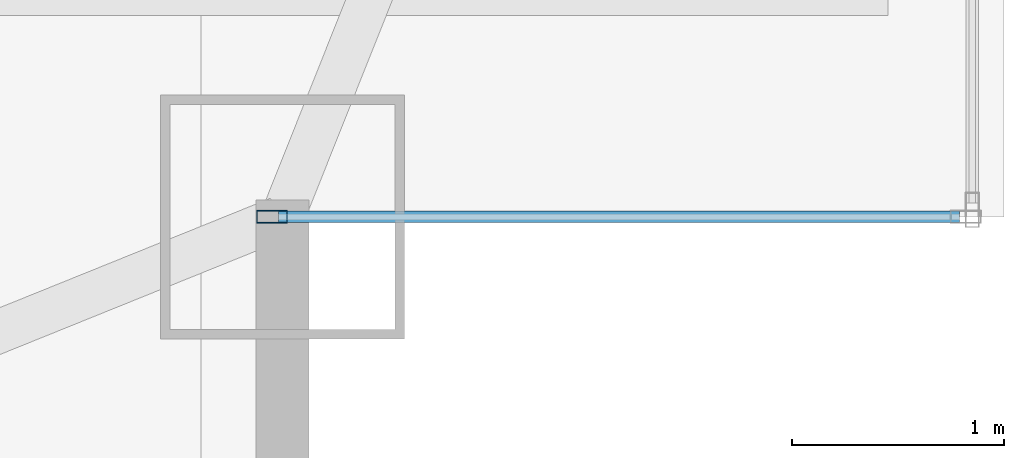
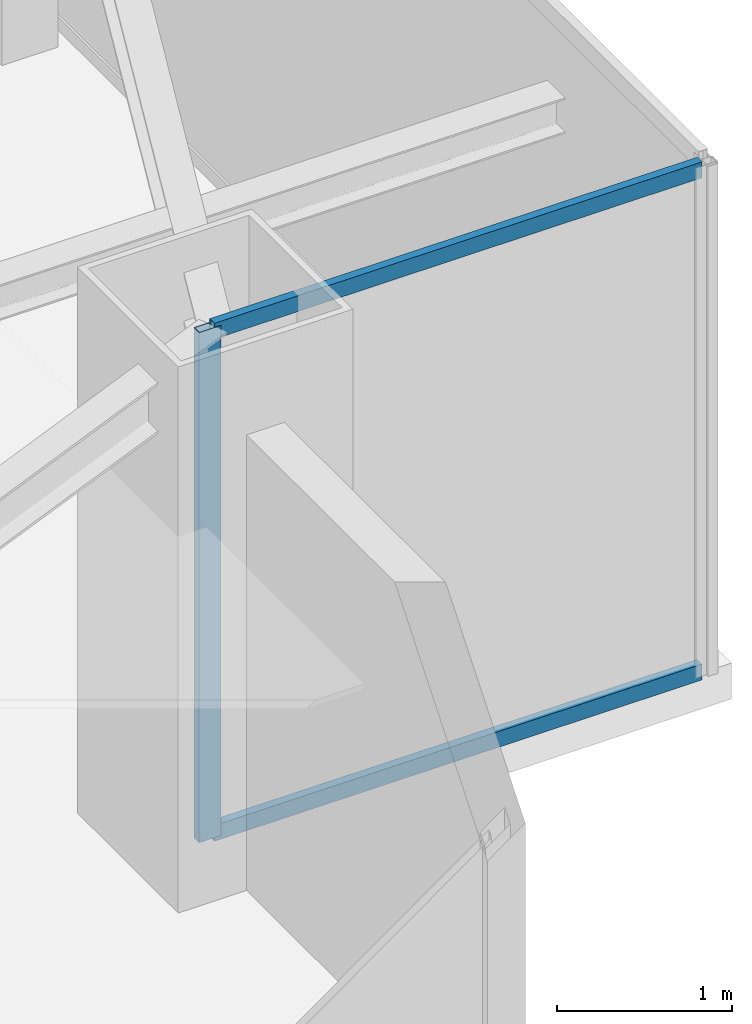
# One storey, part 15 of 30: 3 members, 1 element without a shape of its own.
"""IFC4 building model written with IfcOpenShell, lengths in metres."""

import ifcopenshell
import ifcopenshell.guid

model = None  # the IFC model being written
_history = None  # IfcOwnerHistory: only IFC2X3 demands one
_inside = {}  # id of a spatial element -> (the spatial element, [elements in it])
_under = {}  # id of a project, library or spatial element -> (it, [spatial elements below it])
_declared = {}  # id of a project -> (the project, [libraries it declares])
_typed = {}  # id of a type object -> (the type object, [elements of that type])
_made_of = {}  # id of a material, layer set ... -> (it, [elements and type objects made of it])


def new_model(schema):
    """Start an empty IFC model of exactly this schema.

    Asked for "IFC4X3", IfcOpenShell would pick the latest addendum, in which some entities
    have other attributes; the version numbers below select the first issue.
    IFC2X3 requires an IfcOwnerHistory on every rooted entity: one is made here for all.
    """
    global model, _history
    if schema == "IFC4X3":
        model = ifcopenshell.file(schema_version=(4, 3, 0, 0))
    else:
        model = ifcopenshell.file(schema=schema)
    _inside.clear()
    _under.clear()
    _declared.clear()
    _typed.clear()
    _made_of.clear()
    _history = None
    if model.schema == "IFC2X3":
        org = make("IfcOrganization", Name="unknown")
        user = make(
            "IfcPersonAndOrganization",
            ThePerson=make("IfcPerson", FamilyName="unknown"),
            TheOrganization=org,
        )
        app = make(
            "IfcApplication",
            ApplicationDeveloper=org,
            Version="unknown",
            ApplicationFullName="unknown",
            ApplicationIdentifier="unknown",
        )
        _history = make(
            "IfcOwnerHistory",
            OwningUser=user,
            OwningApplication=app,
            ChangeAction="ADDED",
            CreationDate=0,
        )
    return model


def make(cls, **values):
    """One entity of the class cls with the attributes given. An attribute that is None is left unset."""
    return model.create_entity(
        cls, **{name: value for name, value in values.items() if value is not None}
    )


def rooted(cls, **values):
    """An entity with a GlobalId (a new one), such as an element, a storey or a relation."""
    return make(cls, GlobalId=ifcopenshell.guid.new(), OwnerHistory=_history, **values)


def si_unit(unit_type, name, prefix=None):
    """IfcSIUnit, for example si_unit("LENGTHUNIT", "METRE", prefix="MILLI")."""
    return make("IfcSIUnit", UnitType=unit_type, Prefix=prefix, Name=name)


def assignment(units):
    """IfcUnitAssignment: the units of a project."""
    return None if units is None else make("IfcUnitAssignment", Units=units)


def point(xyz):
    """IfcCartesianPoint."""
    return None if xyz is None else make("IfcCartesianPoint", Coordinates=xyz)


def direction(xyz):
    """IfcDirection."""
    return None if xyz is None else make("IfcDirection", DirectionRatios=xyz)


def frame(location, z_axis=None, x_axis=None):
    """IfcAxis2Placement3D, a coordinate frame: its origin and axes. An axis left out is left unset."""
    return make(
        "IfcAxis2Placement3D",
        Location=point(location),
        Axis=direction(z_axis),
        RefDirection=direction(x_axis),
    )


def frame_2d(location, x_axis=None):
    """IfcAxis2Placement2D, a coordinate frame in the plane: its origin and x axis."""
    return make(
        "IfcAxis2Placement2D", Location=point(location), RefDirection=direction(x_axis)
    )


def origin():
    """The frame at (0, 0, 0) with its axes left unset."""
    return frame((0.0, 0.0, 0.0))


def origin_2d():
    """The frame at (0, 0) in the plane with its x axis left unset."""
    return frame_2d((0.0, 0.0))


def place(relative_to, where):
    """IfcLocalPlacement: puts the frame where relative to a parent placement (None: the world)."""
    return make(
        "IfcLocalPlacement", PlacementRelTo=relative_to, RelativePlacement=where
    )


def context(
    kind, dimensions, precision=None, world=None, true_north=None, identifier=None
):
    """IfcGeometricRepresentationContext, for example the 3D "Model" context."""
    return make(
        "IfcGeometricRepresentationContext",
        ContextIdentifier=identifier,
        ContextType=kind,
        CoordinateSpaceDimension=dimensions,
        Precision=precision,
        WorldCoordinateSystem=world,
        TrueNorth=true_north,
    )


def subcontext(parent, identifier, kind, view, scale=None):
    """IfcGeometricRepresentationSubContext, for example "Body" below "Model"."""
    return make(
        "IfcGeometricRepresentationSubContext",
        ContextIdentifier=identifier,
        ContextType=kind,
        ParentContext=parent,
        TargetScale=scale,
        TargetView=view,
    )


def project(units=None, contexts=None):
    """IfcProject with its units and contexts."""
    return rooted(
        "IfcProject",
        Name="project",
        RepresentationContexts=contexts,
        UnitsInContext=assignment(units),
    )


def spatial(cls, under=None, at=None, **own):
    """A site, building, storey or space (cls), placed at a placement, below another one or the project."""
    s = rooted(cls, ObjectPlacement=at, **own)
    if under is not None:
        _under.setdefault(under.id(), (under, []))[1].append(s)
    return s


def profile(cls, at=None, kind="AREA", **sizes):
    """A parametric profile (cls). Its sizes go by their IFC names, for example OverallWidth=200.0."""
    return make(cls, ProfileType=kind, Position=at, **sizes)


def hollow_rectangle(**sizes):
    """IfcRectangleHollowProfileDef."""
    return profile("IfcRectangleHollowProfileDef", **sizes)


def extrude(swept, where, along, depth):
    """IfcExtrudedAreaSolid: the profile swept, set in the frame where, extruded along a direction by depth."""
    return make(
        "IfcExtrudedAreaSolid",
        SweptArea=swept,
        Position=where,
        ExtrudedDirection=direction(along),
        Depth=depth,
    )


def shape(context_of_items, identifier, shape_type, items):
    """IfcShapeRepresentation: the items that make up one representation, for example the "Body"."""
    return make(
        "IfcShapeRepresentation",
        ContextOfItems=context_of_items,
        RepresentationIdentifier=identifier,
        RepresentationType=shape_type,
        Items=items,
    )


def source(mapping_origin, context_of_items, identifier, shape_type, items):
    """IfcRepresentationMap: a shape defined once, which mapped items show again and again."""
    return make(
        "IfcRepresentationMap",
        MappingOrigin=mapping_origin,
        MappedRepresentation=shape(context_of_items, identifier, shape_type, items),
    )


def transform(
    local_origin,
    x_axis=None,
    y_axis=None,
    z_axis=None,
    scale=None,
    scale2=None,
    scale3=None,
    uniform=True,
):
    """IfcCartesianTransformationOperator3D, or its non-uniform kind. x_axis, y_axis, z_axis: its Axis1, 2, 3."""
    if uniform:
        return make(
            "IfcCartesianTransformationOperator3D",
            Axis1=direction(x_axis),
            Axis2=direction(y_axis),
            LocalOrigin=point(local_origin),
            Scale=scale,
            Axis3=direction(z_axis),
        )
    return make(
        "IfcCartesianTransformationOperator3DnonUniform",
        Axis1=direction(x_axis),
        Axis2=direction(y_axis),
        LocalOrigin=point(local_origin),
        Scale=scale,
        Axis3=direction(z_axis),
        Scale2=scale2,
        Scale3=scale3,
    )


def mapped(mapping_source, mapping_target):
    """IfcMappedItem: shows the shape of a source again, moved by a transform."""
    return make(
        "IfcMappedItem", MappingSource=mapping_source, MappingTarget=mapping_target
    )


def material(Name=None, Category=None):
    """IfcMaterial."""
    return make("IfcMaterial", Name=Name, Category=Category)


def layer(
    of_material, thickness, ventilated=None, Name=None, Category=None, Priority=None
):
    """IfcMaterialLayer: one layer of a wall or slab, of a material (None: an air gap)."""
    return make(
        "IfcMaterialLayer",
        Material=of_material,
        LayerThickness=thickness,
        IsVentilated=ventilated,
        Name=Name,
        Category=Category,
        Priority=Priority,
    )


def layer_set(layers, Name=None):
    """IfcMaterialLayerSet."""
    return make("IfcMaterialLayerSet", MaterialLayers=layers, LayerSetName=Name)


def material_profile(
    of_material, cross_section, Name=None, Category=None, Priority=None
):
    """IfcMaterialProfile: a cross section and its material."""
    return make(
        "IfcMaterialProfile",
        Name=Name,
        Material=of_material,
        Profile=cross_section,
        Priority=Priority,
        Category=Category,
    )


def profile_set(profiles, Name=None, composite=None):
    """IfcMaterialProfileSet."""
    return make(
        "IfcMaterialProfileSet",
        Name=Name,
        MaterialProfiles=profiles,
        CompositeProfile=composite,
    )


def made_of(thing, what):
    """Note that an element or type object is made of a material, layer set ...; save() writes the relation."""
    if what is not None:
        _made_of.setdefault(what.id(), (what, []))[1].append(thing)
    return thing


def type_object(cls, material=None, **own):
    """A type object (cls), such as IfcWallType, which elements share."""
    return made_of(rooted(cls, **own), material)


def type_shapes(of_type, sources):
    """Give a type object the sources (RepresentationMaps) that its elements show as mapped items."""
    of_type.RepresentationMaps = sources


def element(
    cls,
    number,
    at=None,
    inside=None,
    cuts=None,
    type_object=None,
    material=None,
    context=None,
    identifier="Body",
    shape_type=None,
    held_by="IfcProductDefinitionShape",
    body=None,
    shapes=None,
    **own,
):
    """One element of the class cls, such as IfcWall. Its Tag is "e" and its number.

    at: its placement. inside: the storey or other place that contains it. cuts: it is an
    opening in that element (IfcRelVoidsElement). A single representation is given by context,
    identifier, shape_type and body (its items); several are given by shapes. held_by: the class
    of the entity that holds the representations. save() writes the other relations.
    """
    e = rooted(cls, Tag="e%d" % number, ObjectPlacement=at, **own)
    if body is not None:
        shapes = [shape(context, identifier, shape_type, body)]
    if shapes is not None:
        e.Representation = make(held_by, Representations=shapes)
    if inside is not None:
        _inside.setdefault(inside.id(), (inside, []))[1].append(e)
    if cuts is not None:
        rooted(
            "IfcRelVoidsElement", RelatingBuildingElement=cuts, RelatedOpeningElement=e
        )
    if type_object is not None:
        _typed.setdefault(type_object.id(), (type_object, []))[1].append(e)
    return made_of(e, material)


def aggregate(whole, parts):
    """IfcRelAggregates: a whole, such as a stair, and the parts it consists of."""
    return rooted("IfcRelAggregates", RelatingObject=whole, RelatedObjects=parts)


def save(model, path):
    """Write the relations noted so far, then the file.

    IfcRelAggregates (storeys below a building ...), IfcRelContainedInSpatialStructure (elements
    in a storey), IfcRelDefinesByType, IfcRelAssociatesMaterial and IfcRelDeclares: one each for
    every whole, place, type object, material and project.
    """
    for whole, parts in _under.values():
        aggregate(whole, parts)
    for where, things in _inside.values():
        rooted(
            "IfcRelContainedInSpatialStructure",
            RelatedElements=things,
            RelatingStructure=where,
        )
    for kind, things in _typed.values():
        rooted("IfcRelDefinesByType", RelatedObjects=things, RelatingType=kind)
    for what, things in _made_of.values():
        rooted("IfcRelAssociatesMaterial", RelatedObjects=things, RelatingMaterial=what)
    for by, libraries in _declared.values():
        rooted("IfcRelDeclares", RelatingContext=by, RelatedDefinitions=libraries)
    model.write(path)


model = new_model("IFC4")

# Units and contexts
model_context = context("Model", 3, precision=1e-05, world=origin(), true_north=direction((0.0, 1.0)))
body_context = subcontext(model_context, "Body", "Model", "MODEL_VIEW")
ifc_project = project(units=[si_unit("LENGTHUNIT", "METRE"), si_unit("AREAUNIT", "SQUARE_METRE"), si_unit("VOLUMEUNIT", "CUBIC_METRE"), si_unit("PLANEANGLEUNIT", "RADIAN"), si_unit("MASSUNIT", "GRAM", prefix="KILO")], contexts=[model_context])

# Site, building, storey
site_placement = place(None, origin())
site = spatial("IfcSite", under=ifc_project, at=site_placement, CompositionType="ELEMENT")
building_placement = place(site_placement, origin())
building = spatial("IfcBuilding", under=site, at=building_placement, Name="Varnel Quay Broadcast Tower", CompositionType="ELEMENT")
storey_placement = place(building_placement, frame((0.0, 0.0, 247.0)))
storey = spatial("IfcBuildingStorey", under=building, at=storey_placement, Name="L61", CompositionType="ELEMENT", Elevation=247.0)

# Curtain wall, members
ifc_material = material(Name="Anodised Bronze Aluminium 6063-T6", Category="aluminium")
ifc_layer = layer(ifc_material, 0.18994140625, Name="Anodised Bronze Aluminium 6063-T6")
ifc_layer_set = layer_set([ifc_layer], Name="Anodised Bronze Aluminium 6063-T6")
curtain_wall_type = type_object("IfcCurtainWallType", Name="CW_NotchCorner", PredefinedType="NOTDEFINED", material=ifc_layer_set)
curtain_wall_placement = place(storey_placement, origin())
curtain_wall = element("IfcCurtainWall", 1, at=curtain_wall_placement, inside=storey, type_object=curtain_wall_type, Name="L61 SE Notch Curtain Wall", PredefinedType="NOTDEFINED")
ifc_material_profile_1 = material_profile(ifc_material, hollow_rectangle(XDim=0.06005859375, YDim=0.14501953125, WallThickness=0.00341796875, at=origin_2d()), Name="ALU60X145X3.5")
ifc_profile_set_1 = profile_set([ifc_material_profile_1], Name="Anodised Bronze Aluminium 6063-T6")
member_type_1 = type_object("IfcMemberType", Name="Mull_CWS-04", PredefinedType="MULLION", material=ifc_profile_set_1)
shared_shape_1 = source(origin(), body_context, "Body", "SweptSolid", [
    extrude(hollow_rectangle(XDim=0.06005859375, YDim=0.14501953125, WallThickness=0.00341796875, at=origin_2d()), origin(), (0.0, 0.0, 1.0), 3.550048828125),
])
type_shapes(member_type_1, [shared_shape_1])
member_1_placement = place(storey_placement, frame((55.050048828125, 13.60009765625, 0.0), z_axis=(0.0, 0.0, 1.0), x_axis=(0.0, 1.0, 0.0)))
member_1 = element("IfcMember", 2, at=member_1_placement, type_object=member_type_1, Name="CWS-04 mullion 1", PredefinedType="MULLION", context=body_context, shape_type="MappedRepresentation", body=[
    mapped(shared_shape_1, transform((0.0, 0.0, 0.0), x_axis=(1.0, 0.0, 0.0), y_axis=(0.0, 1.0, 0.0), z_axis=(0.0, 0.0, 1.0), scale=1.0)),
])
ifc_material_profile_2 = material_profile(ifc_material, hollow_rectangle(XDim=0.054931640625, YDim=0.110107421875, WallThickness=0.0029296875, at=origin_2d()), Name="ALU55X110X3")
ifc_profile_set_2 = profile_set([ifc_material_profile_2], Name="Anodised Bronze Aluminium 6063-T6")
member_type_2 = type_object("IfcMemberType", Name="Tran_CWS-04", PredefinedType="USERDEFINED", material=ifc_profile_set_2)
shared_shape_2 = source(origin(), body_context, "Body", "SweptSolid", [
    extrude(hollow_rectangle(XDim=0.054931640625, YDim=0.110107421875, WallThickness=0.0029296875, at=origin_2d()), origin(), (0.0, 0.0, 1.0), 3.2099609375),
])
type_shapes(member_type_2, [shared_shape_2])
member_2_placement = place(storey_placement, frame((55.080078125, 13.60009765625, 0.027587890625), z_axis=(1.0, 0.0, 0.0), x_axis=(0.0, 1.0, 0.0)))
member_2 = element("IfcMember", 3, at=member_2_placement, type_object=member_type_2, Name="CWS-04 transom 1.1", ObjectType="TRANSOM", PredefinedType="USERDEFINED", context=body_context, shape_type="MappedRepresentation", body=[
    mapped(shared_shape_2, transform((0.0, 0.0, 0.0), x_axis=(1.0, 0.0, 0.0), y_axis=(0.0, 1.0, 0.0), z_axis=(0.0, 0.0, 1.0), scale=1.0)),
])
member_3_placement = place(storey_placement, frame((55.080078125, 13.60009765625, 3.5224609375), z_axis=(1.0, 0.0, 0.0), x_axis=(0.0, 1.0, 0.0)))
member_3 = element("IfcMember", 4, at=member_3_placement, type_object=member_type_2, Name="CWS-04 transom 1.2", ObjectType="TRANSOM", PredefinedType="USERDEFINED", context=body_context, shape_type="MappedRepresentation", body=[
    mapped(shared_shape_2, transform((0.0, 0.0, 0.0), x_axis=(1.0, 0.0, 0.0), y_axis=(0.0, 1.0, 0.0), z_axis=(0.0, 0.0, 1.0), scale=1.0)),
])
aggregate(curtain_wall, [member_1, member_2, member_3])

save(model, "model.ifc")
